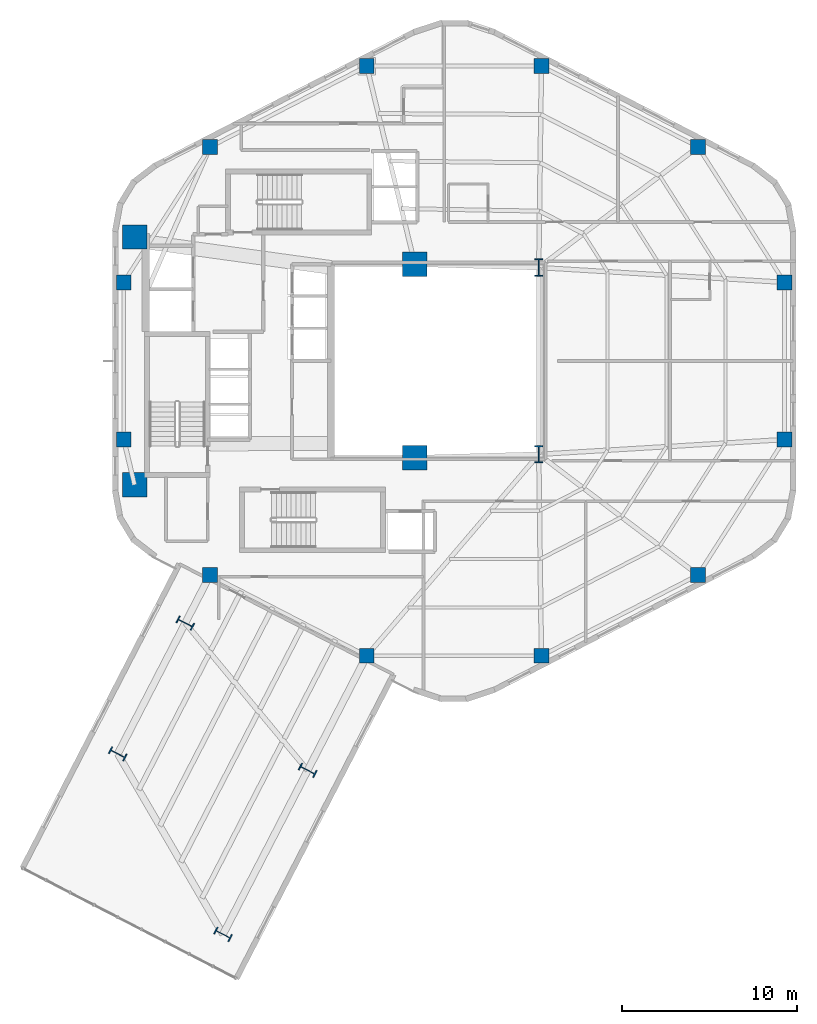
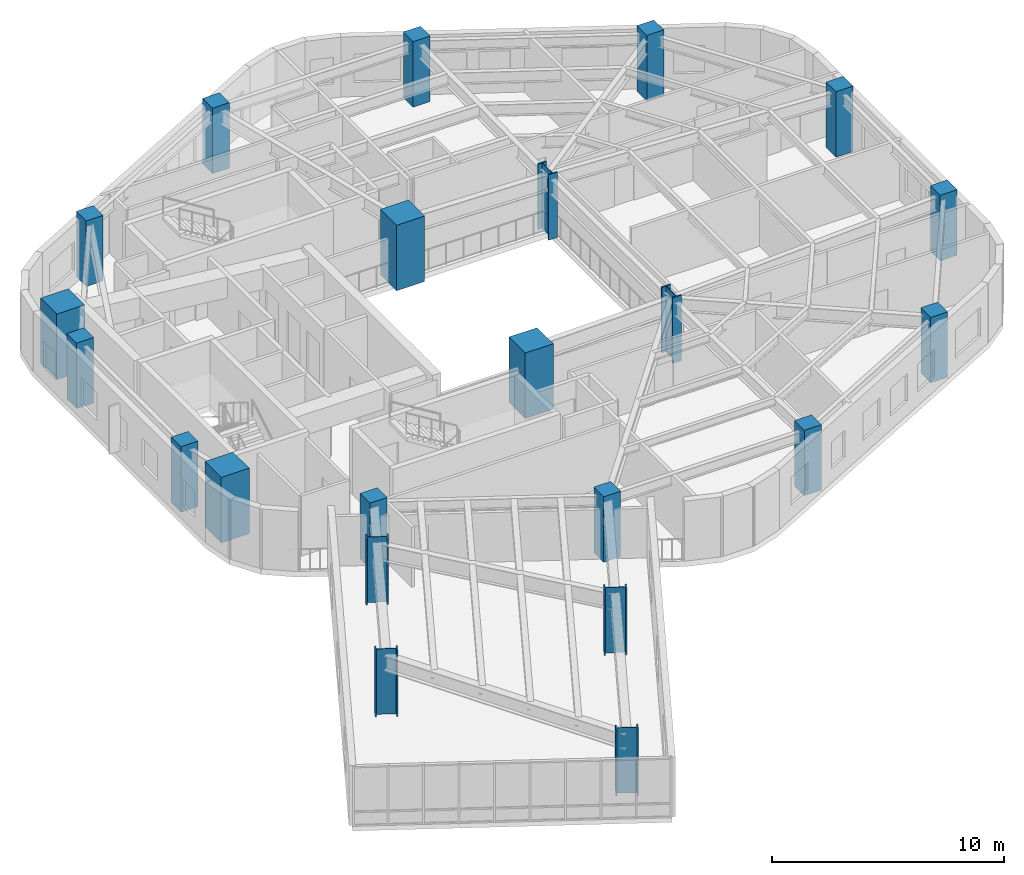
# One storey, part 1 of 9: 22 columns.
"""IFC4 building model written with IfcOpenShell, lengths in metres."""

from ifc_helpers import new_model, si_unit, direction, frame, origin, origin_2d, place, context, subcontext, project, spatial, rectangle, i_section, extrude, material, material_profile, profile_set, type_object, element, save


model = new_model("IFC4")

# Units and contexts
model_context = context("Model", 3, precision=1e-05, world=origin(), true_north=direction((0.0, 1.0)))
body_context = subcontext(model_context, "Body", "Model", "MODEL_VIEW")
ifc_project = project(units=[si_unit("LENGTHUNIT", "METRE"), si_unit("AREAUNIT", "SQUARE_METRE"), si_unit("VOLUMEUNIT", "CUBIC_METRE"), si_unit("PLANEANGLEUNIT", "RADIAN"), si_unit("MASSUNIT", "GRAM", prefix="KILO"), si_unit("THERMODYNAMICTEMPERATUREUNIT", "KELVIN"), si_unit("POWERUNIT", "WATT")], contexts=[model_context])

# Site, building, storey
site_placement = place(None, origin())
site = spatial("IfcSite", under=ifc_project, at=site_placement, CompositionType="ELEMENT")
building_placement = place(site_placement, origin())
building = spatial("IfcBuilding", under=site, at=building_placement, Name="Skarre Station Tower", CompositionType="ELEMENT")
storey_placement = place(building_placement, frame((0.0, 0.0, 177.449951171875)))
storey = spatial("IfcBuildingStorey", under=building, at=storey_placement, Name="L48", CompositionType="ELEMENT", Elevation=177.449951171875)

# Columns
ifc_material_1 = material(Name="Concrete C70/85", Category="concrete")
ifc_material_profile_1 = material_profile(ifc_material_1, rectangle(XDim=1.39990234375, YDim=1.39990234375, at=origin_2d()), Name="Concrete C70/85")
ifc_profile_set_1 = profile_set([ifc_material_profile_1], Name="Concrete C70/85")
column_type_1 = type_object("IfcColumnType", Name="RC Structural Column RC-COL-1400X1400", PredefinedType="COLUMN", material=ifc_profile_set_1)
for number, where, z_axis, x_axis, name in (
    (1, (16.300048828125, 16.89990234375, 0.0), (0.0, 0.0, 1.0), (1.0, 0.0, 0.0), "L48 Core Column CC-SW"),
    (2, (16.300048828125, 31.10009765625, 0.0), (0.0, 0.0, 1.0), (1.0, 0.0, 0.0), "L48 Core Column CC-NW"),
    (3, (32.35009765625, 18.449951171875, 0.0), (0.0, 0.0, 1.0), (1.0, 0.0, 0.0), "L48 Core Column CC-SE"),
    (4, (32.35009765625, 29.550048828125, 0.0), (0.0, 0.0, 1.0), (1.0, 0.0, 0.0), "L48 Core Column CC-NE"),
):
    element("IfcColumn", number, at=place(storey_placement, frame(where, z_axis=z_axis, x_axis=x_axis)), inside=storey, type_object=column_type_1, Name=name, PredefinedType="COLUMN", context=body_context, shape_type="SweptSolid", body=[
        extrude(rectangle(XDim=1.39990234375, YDim=1.39990234375, at=origin_2d()), origin(), (0.0, 0.0, 1.0), 3.449951171875),
    ])
ifc_material_2 = material(Name="Concrete C50/60", Category="concrete")
ifc_material_profile_2 = material_profile(ifc_material_2, rectangle(XDim=0.85009765625, YDim=0.85009765625, at=origin_2d()), Name="Concrete C50/60")
ifc_profile_set_2 = profile_set([ifc_material_profile_2], Name="Concrete C50/60")
column_type_2 = type_object("IfcColumnType", Name="RC Structural Column RC-COL-850X850", PredefinedType="COLUMN", material=ifc_profile_set_2)
for number, where, z_axis, x_axis, name in (
    (5, (48.573974609375, 36.257080078125, 0.0), (0.0, 0.0, 1.0), (1.0, 0.0, 0.0), "L48 Zone 3 Perimeter Column F0C1"),
    (6, (39.60205078125, 40.887939453125, 0.0), (0.0, 0.0, 1.0), (1.0, 0.0, 0.0), "L48 Zone 3 Perimeter Column F0C2"),
    (7, (29.597900390625, 40.887939453125, 0.0), (0.0, 0.0, 1.0), (1.0, 0.0, 0.0), "L48 Zone 3 Perimeter Column F1C1"),
    (8, (20.6259765625, 36.257080078125, 0.0), (0.0, 0.0, 1.0), (1.0, 0.0, 0.0), "L48 Zone 3 Perimeter Column F1C2"),
    (9, (15.677978515625, 28.5009765625, 0.0), (0.0, 0.0, 1.0), (1.0, 0.0, 0.0), "L48 Zone 3 Perimeter Column F2C1"),
    (10, (15.677978515625, 19.4990234375, 0.0), (0.0, 0.0, 1.0), (1.0, 0.0, 0.0), "L48 Zone 3 Perimeter Column F2C2"),
    (11, (20.6259765625, 11.742919921875, 0.0), (0.0, 0.0, 1.0), (1.0, 0.0, 0.0), "L48 Zone 3 Perimeter Column F3C1"),
    (12, (29.597900390625, 7.112060546875, 0.0), (0.0, 0.0, 1.0), (1.0, 0.0, 0.0), "L48 Zone 3 Perimeter Column F3C2"),
    (13, (39.60205078125, 7.112060546875, 0.0), (0.0, 0.0, 1.0), (1.0, 0.0, 0.0), "L48 Zone 3 Perimeter Column F4C1"),
    (14, (48.573974609375, 11.742919921875, 0.0), (0.0, 0.0, 1.0), (1.0, 0.0, 0.0), "L48 Zone 3 Perimeter Column F4C2"),
    (15, (53.52197265625, 19.4990234375, 0.0), (0.0, 0.0, 1.0), (1.0, 0.0, 0.0), "L48 Zone 3 Perimeter Column F5C1"),
    (16, (53.52197265625, 28.5009765625, 0.0), (0.0, 0.0, 1.0), (1.0, 0.0, 0.0), "L48 Zone 3 Perimeter Column F5C2"),
):
    element("IfcColumn", number, at=place(storey_placement, frame(where, z_axis=z_axis, x_axis=x_axis)), inside=storey, type_object=column_type_2, Name=name, PredefinedType="COLUMN", context=body_context, shape_type="SweptSolid", body=[
        extrude(rectangle(XDim=0.85009765625, YDim=0.85009765625, at=origin_2d()), origin(), (0.0, 0.0, 1.0), 3.449951171875),
    ])
ifc_material_3 = material(Name="Steel ASTM A913 Grade 65", Category="steel")
ifc_material_profile_3 = material_profile(ifc_material_3, i_section(OverallWidth=0.430908203125, OverallDepth=0.987060546875, WebThickness=0.033935546875, FlangeThickness=0.06201171875, at=origin_2d()), Name="Steel ASTM A913 Grade 65")
ifc_profile_set_3 = profile_set([ifc_material_profile_3], Name="Steel ASTM A913 Grade 65")
column_type_3 = type_object("IfcColumnType", Name="Steel Column W36X441", PredefinedType="COLUMN", material=ifc_profile_set_3)
for number, where, z_axis, x_axis, name in (
    (17, (39.449951171875, 18.64990234375, 0.0), (0.0, 0.0, 1.0), (1.0, 0.0, 0.0), "L48 Atrium Spine Column AC-SE"),
    (18, (39.449951171875, 29.35009765625, 0.0), (0.0, 0.0, 1.0), (1.0, 0.0, 0.0), "L48 Atrium Spine Column AC-NE"),
    (19, (19.2041015625, 8.988037109375, 0.0), (0.0, 0.0, 1.0), (-0.458634045118, -0.888625237464, 0.0), "L48 SB-4 Sky-Bar Frame Column M1"),
    (20, (26.212890625, 0.553955078125, 0.0), (0.0, 0.0, 1.0), (-0.458634045118, -0.888625237464, 0.0), "L48 SB-4 Sky-Bar Frame Column M2"),
    (21, (15.337890625, 1.4970703125, 0.0), (0.0, 0.0, 1.0), (-0.458634045118, -0.888625237464, 0.0), "L48 SB-4 Sky-Bar Frame Column T1"),
    (22, (21.364990234375, -8.839111328125, 0.0), (0.0, 0.0, 1.0), (-0.458634045118, -0.888625237464, 0.0), "L48 SB-4 Sky-Bar Frame Column T2"),
):
    element("IfcColumn", number, at=place(storey_placement, frame(where, z_axis=z_axis, x_axis=x_axis)), inside=storey, type_object=column_type_3, Name=name, PredefinedType="COLUMN", context=body_context, shape_type="SweptSolid", body=[
        extrude(i_section(OverallWidth=0.430908203125, OverallDepth=0.987060546875, WebThickness=0.033935546875, FlangeThickness=0.06201171875, at=origin_2d()), origin(), (0.0, 0.0, 1.0), 3.449951171875),
    ])

save(model, "model.ifc")
